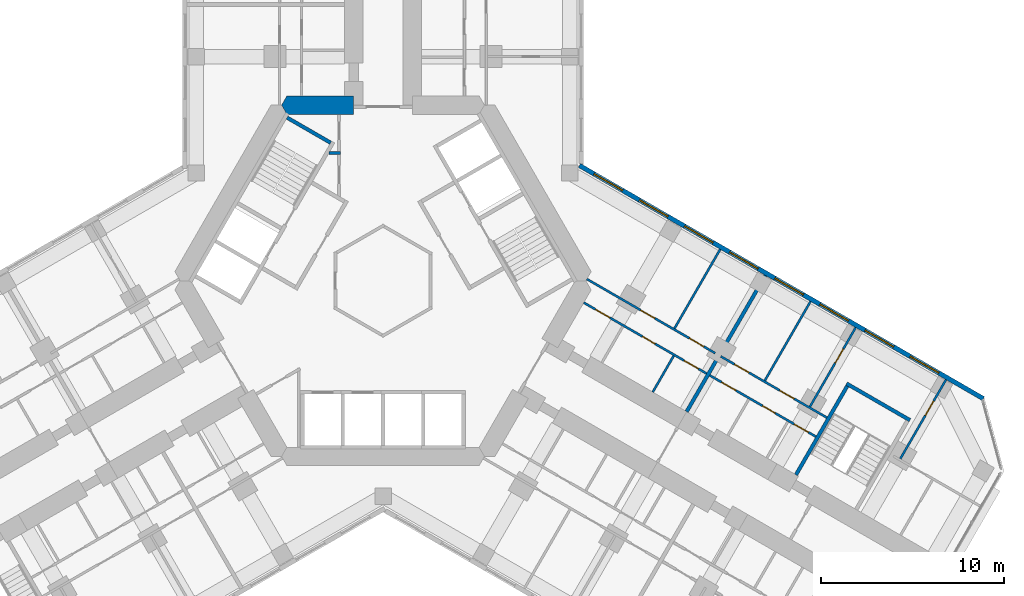
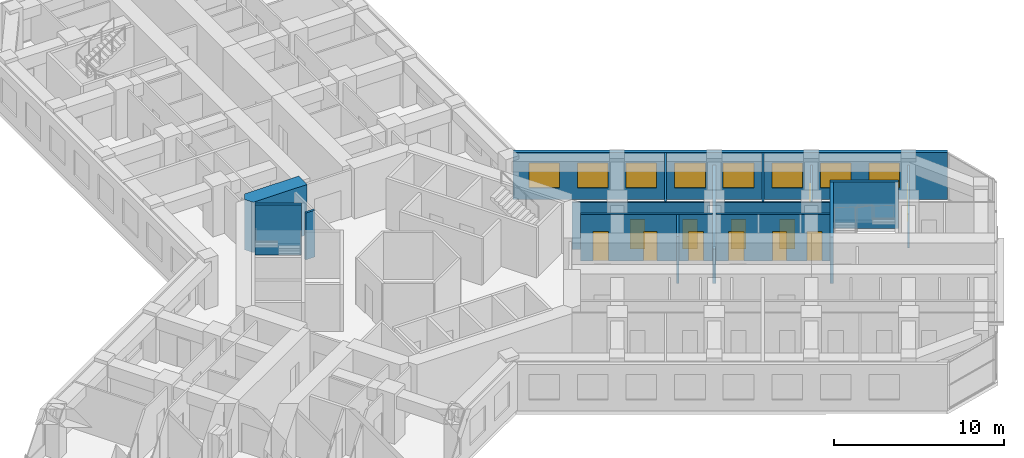
# One storey, part 16 of 21: 16 walls, 12 doors, 8 windows, 20 openings.
"""IFC4 building model written with IfcOpenShell, lengths in metres."""

from ifc_helpers import new_model, si_unit, direction, frame, frame_2d, origin, place, context, subcontext, project, spatial, polyline, rectangle, outline, extrude, material, layer, layer_set, type_object, element, fill, save


model = new_model("IFC4")

# Units and contexts
model_context = context("Model", 3, precision=1e-05, world=origin(), true_north=direction((0.0, 1.0)))
body_context = subcontext(model_context, "Body", "Model", "MODEL_VIEW")
ifc_project = project(units=[si_unit("LENGTHUNIT", "METRE"), si_unit("AREAUNIT", "SQUARE_METRE"), si_unit("VOLUMEUNIT", "CUBIC_METRE"), si_unit("PLANEANGLEUNIT", "RADIAN"), si_unit("MASSUNIT", "GRAM", prefix="KILO")], contexts=[model_context])

# Site, building, storey
site_placement = place(None, origin())
site = spatial("IfcSite", under=ifc_project, at=site_placement, CompositionType="ELEMENT")
building_placement = place(site_placement, origin())
building = spatial("IfcBuilding", under=site, at=building_placement, Name="Kosmar Iwan School Tower", CompositionType="ELEMENT")
storey_placement = place(building_placement, frame((0.0, 0.0, 102.39990234375)))
storey = spatial("IfcBuildingStorey", under=building, at=storey_placement, Name="L25", CompositionType="ELEMENT", Elevation=102.39990234375)

# Walls
ifc_material_1 = material(Name="Gypsum board on steel studs, fire-rated", Category="steel")
ifc_layer_1 = layer(ifc_material_1, 0.14990234375)
ifc_layer_set_1 = layer_set([ifc_layer_1], Name="Core room partition 150")
wall_type_1 = type_object("IfcWallType", Name="Core room partition 150", PredefinedType="PARTITIONING", material=ifc_layer_set_1)
wall_1_placement = place(storey_placement, frame((-2.324951171875, 6.985107421875, 0.0), z_axis=(0.0, 0.0, 1.0), x_axis=(-1.0, 0.0, 0.0)))
element("IfcWall", 1, at=wall_1_placement, inside=storey, type_object=wall_type_1, Name="Core room partition L25-CW2", PredefinedType="PARTITIONING", context=body_context, shape_type="SweptSolid", body=[
    extrude(rectangle(XDim=0.623779296875, YDim=0.14990234375, at=frame_2d((0.31201171875, 0.0))), origin(), (0.0, 0.0, 1.0), 3.35009765625),
])
ifc_material_2 = material(Name="Concrete C50/60", Category="concrete")
ifc_layer_2 = layer(ifc_material_2, 1.0)
ifc_layer_set_2 = layer_set([ifc_layer_2], Name="Core wall 1000")
wall_type_2 = type_object("IfcWallType", Name="Core wall 1000", PredefinedType="SHEAR", material=ifc_layer_set_2)
wall_2_placement = place(storey_placement, origin())
element("IfcWall", 2, at=wall_2_placement, inside=storey, type_object=wall_type_2, Name="Core wall F090b", PredefinedType="SHEAR", context=body_context, shape_type="SweptSolid", body=[
    extrude(outline(polyline([(-5.25390625, 9.10009765625), (-1.60009765625, 9.10009765625), (-1.60009765625, 10.10009765625), (-5.25390625, 10.10009765625), (-5.54248046875, 9.60009765625), (-5.25390625, 9.10009765625)])), origin(), (0.0, 0.0, 1.0), 3.60009765625),
])

# Wall, openings, doors
ifc_material_3 = material(Name="Gypsum board on steel studs", Category="steel")
ifc_layer_3 = layer(ifc_material_3, 0.1201171875)
ifc_layer_set_3 = layer_set([ifc_layer_3], Name="Dwelling partition 120")
wall_type_3 = type_object("IfcWallType", Name="Dwelling partition 120", PredefinedType="PARTITIONING", material=ifc_layer_set_3)
wall_3_placement = place(storey_placement, frame((10.971923828125, -1.1962890625, 0.0), z_axis=(0.0, 0.0, 1.0), x_axis=(0.866024534185, -0.500001506187, 0.0)))
wall_3 = element("IfcWall", 3, at=wall_3_placement, inside=storey, type_object=wall_type_3, Name="Partition L25-CL1-W1", PredefinedType="PARTITIONING", context=body_context, shape_type="SweptSolid", body=[
    extrude(rectangle(XDim=7.75, YDim=0.1201171875, at=frame_2d((3.875, 0.0))), origin(), (0.0, 0.0, 1.0), 3.35009765625),
])
opening_1_placement = place(wall_3_placement, frame((0.75, 0.0, 0.0)))
opening_1 = element("IfcOpeningElement", 4, at=opening_1_placement, cuts=wall_3, Name="Opening D2", PredefinedType="OPENING", context=body_context, shape_type="SweptSolid", body=[
    extrude(rectangle(XDim=0.89990234375, YDim=2.10009765625, at=frame_2d((0.449951171875, 1.050048828125))), frame((0.0, 0.072021484375, 0.0), z_axis=(0.0, -1.0, 0.0), x_axis=(1.0, 0.0, 0.0)), (0.0, 0.0, 1.0), 0.14404296875),
])
opening_2_placement = place(wall_3_placement, frame((3.705078125, 0.0, 0.0)))
opening_2 = element("IfcOpeningElement", 5, at=opening_2_placement, cuts=wall_3, Name="Opening D3", PredefinedType="OPENING", context=body_context, shape_type="SweptSolid", body=[
    extrude(rectangle(XDim=0.800048828125, YDim=2.10009765625, at=frame_2d((0.39990234375, 1.050048828125))), frame((0.0, 0.072021484375, 0.0), z_axis=(0.0, -1.0, 0.0), x_axis=(1.0, 0.0, 0.0)), (0.0, 0.0, 1.0), 0.14404296875),
])
opening_3_placement = place(wall_3_placement, frame((6.330078125, 0.0, 0.0)))
opening_3 = element("IfcOpeningElement", 6, at=opening_3_placement, cuts=wall_3, Name="Opening D2", PredefinedType="OPENING", context=body_context, shape_type="SweptSolid", body=[
    extrude(rectangle(XDim=0.89990234375, YDim=2.10009765625, at=frame_2d((0.449951171875, 1.050048828125))), frame((0.0, 0.072021484375, 0.0), z_axis=(0.0, -1.0, 0.0), x_axis=(1.0, 0.0, 0.0)), (0.0, 0.0, 1.0), 0.14404296875),
])
ifc_material_4 = material(Name="Timber door in timber frame", Category="wood")
door_type_1 = type_object("IfcDoorType", Name="Internal door 900x2100", OperationType="SINGLE_SWING_LEFT", PredefinedType="DOOR", material=ifc_material_4)
door_1_placement = place(opening_1_placement, origin())
door_1 = element("IfcDoor", 7, at=door_1_placement, inside=storey, type_object=door_type_1, Name="Entrance hall door L25-CL1-S1", OperationType="SINGLE_SWING_LEFT", OverallHeight=2.10009765625, OverallWidth=0.89990234375, PredefinedType="DOOR", context=body_context, shape_type="SweptSolid", body=[
    extrude(rectangle(XDim=0.89990234375, YDim=2.10009765625, at=frame_2d((0.449951171875, 1.050048828125))), frame((0.0, 0.02490234375, 0.0), z_axis=(0.0, -1.0, 0.0), x_axis=(1.0, 0.0, 0.0)), (0.0, 0.0, 1.0), 0.050048828125),
])
fill(opening_1, door_1)
door_2_placement = place(opening_3_placement, origin())
door_2 = element("IfcDoor", 8, at=door_2_placement, inside=storey, type_object=door_type_1, Name="Pantry door L25-CL1-S3", OperationType="SINGLE_SWING_RIGHT", OverallHeight=2.10009765625, OverallWidth=0.89990234375, PredefinedType="DOOR", context=body_context, shape_type="SweptSolid", body=[
    extrude(rectangle(XDim=0.89990234375, YDim=2.10009765625, at=frame_2d((0.449951171875, 1.050048828125))), frame((0.0, 0.02490234375, 0.0), z_axis=(0.0, -1.0, 0.0), x_axis=(1.0, 0.0, 0.0)), (0.0, 0.0, 1.0), 0.050048828125),
])
fill(opening_3, door_2)
ifc_material_5 = material(Name="Timber door in timber frame", Category="wood")
door_type_2 = type_object("IfcDoorType", Name="Sanitary room door 800x2100", OperationType="SINGLE_SWING_LEFT", PredefinedType="DOOR", material=ifc_material_5)
door_3_placement = place(opening_2_placement, origin())
door_3 = element("IfcDoor", 9, at=door_3_placement, inside=storey, type_object=door_type_2, Name="Bathroom door L25-CL1-S2", OperationType="SINGLE_SWING_RIGHT", OverallHeight=2.10009765625, OverallWidth=0.800048828125, PredefinedType="DOOR", context=body_context, shape_type="SweptSolid", body=[
    extrude(rectangle(XDim=0.800048828125, YDim=2.10009765625, at=frame_2d((0.39990234375, 1.050048828125))), frame((0.0, 0.02490234375, 0.0), z_axis=(0.0, -1.0, 0.0), x_axis=(1.0, 0.0, 0.0)), (0.0, 0.0, 1.0), 0.050048828125),
])
fill(opening_2, door_3)

wall_4_placement = place(storey_placement, frame((11.138916015625, 0.093017578125, 0.0), z_axis=(0.0, 0.0, 1.0), x_axis=(0.866017937352, -0.500012932018, 0.0)))
wall_4 = element("IfcWall", 10, at=wall_4_placement, inside=storey, type_object=wall_type_3, Name="Partition L25-CL1-W2", PredefinedType="PARTITIONING", context=body_context, shape_type="SweptSolid", body=[
    extrude(rectangle(XDim=8.099853515625, YDim=0.1201171875, at=frame_2d((4.0498046875, 0.0))), origin(), (0.0, 0.0, 1.0), 3.35009765625),
])
opening_4_placement = place(wall_4_placement, frame((3.39990234375, 0.0, 0.0)))
opening_4 = element("IfcOpeningElement", 11, at=opening_4_placement, cuts=wall_4, Name="Opening D2", PredefinedType="OPENING", context=body_context, shape_type="SweptSolid", body=[
    extrude(rectangle(XDim=0.89990234375, YDim=2.10009765625, at=frame_2d((0.449951171875, 1.050048828125))), frame((0.0, 0.072021484375, 0.0), z_axis=(0.0, -1.0, 0.0), x_axis=(1.0, 0.0, 0.0)), (0.0, 0.0, 1.0), 0.14404296875),
])
opening_5_placement = place(wall_4_placement, frame((6.47509765625, 0.0, 0.0)))
opening_5 = element("IfcOpeningElement", 12, at=opening_5_placement, cuts=wall_4, Name="Opening D2", PredefinedType="OPENING", context=body_context, shape_type="SweptSolid", body=[
    extrude(rectangle(XDim=0.89990234375, YDim=2.10009765625, at=frame_2d((0.449951171875, 1.050048828125))), frame((0.0, 0.072021484375, 0.0), z_axis=(0.0, -1.0, 0.0), x_axis=(1.0, 0.0, 0.0)), (0.0, 0.0, 1.0), 0.14404296875),
])
door_4_placement = place(opening_4_placement, origin())
door_4 = element("IfcDoor", 13, at=door_4_placement, inside=storey, type_object=door_type_1, Name="Living room and kitchen door L25-CL1-F1", OperationType="SINGLE_SWING_RIGHT", OverallHeight=2.10009765625, OverallWidth=0.89990234375, PredefinedType="DOOR", context=body_context, shape_type="SweptSolid", body=[
    extrude(rectangle(XDim=0.89990234375, YDim=2.10009765625, at=frame_2d((0.449951171875, 1.050048828125))), frame((0.0, 0.02490234375, 0.0), z_axis=(0.0, -1.0, 0.0), x_axis=(1.0, 0.0, 0.0)), (0.0, 0.0, 1.0), 0.050048828125),
])
fill(opening_4, door_4)
door_5_placement = place(opening_5_placement, origin())
door_5 = element("IfcDoor", 14, at=door_5_placement, inside=storey, type_object=door_type_1, Name="Bedroom 1 door L25-CL1-F2", OperationType="SINGLE_SWING_RIGHT", OverallHeight=2.10009765625, OverallWidth=0.89990234375, PredefinedType="DOOR", context=body_context, shape_type="SweptSolid", body=[
    extrude(rectangle(XDim=0.89990234375, YDim=2.10009765625, at=frame_2d((0.449951171875, 1.050048828125))), frame((0.0, 0.02490234375, 0.0), z_axis=(0.0, -1.0, 0.0), x_axis=(1.0, 0.0, 0.0)), (0.0, 0.0, 1.0), 0.050048828125),
])
fill(opening_5, door_5)

# Walls
wall_5_placement = place(storey_placement, frame((15.931884765625, -2.60498046875, 0.0), z_axis=(0.0, 0.0, 1.0), x_axis=(0.500011847778, 0.866018563358, 0.0)))
element("IfcWall", 15, at=wall_5_placement, inside=storey, type_object=wall_type_3, Name="Partition L25-CL1-X1", PredefinedType="PARTITIONING", context=body_context, shape_type="SweptSolid", body=[
    extrude(rectangle(XDim=4.990234375, YDim=0.1201171875, at=frame_2d((2.4951171875, 0.0))), origin(), (0.0, 0.0, 1.0), 3.35009765625),
])
wall_6_placement = place(storey_placement, frame((14.741943359375, -6.08642578125, 0.0), z_axis=(0.0, 0.0, 1.0), x_axis=(0.499968531483, 0.866043571379, 0.0)))
element("IfcWall", 16, at=wall_6_placement, inside=storey, type_object=wall_type_3, Name="Partition L25-CL1-Y2", PredefinedType="PARTITIONING", context=body_context, shape_type="SweptSolid", body=[
    extrude(rectangle(XDim=2.290283203125, YDim=0.1201171875, at=frame_2d((1.14501953125, 0.0))), origin(), (0.0, 0.0, 1.0), 3.35009765625),
])

# Wall, openings, doors
wall_7_placement = place(storey_placement, frame((17.856689453125, -5.171142578125, 0.0), z_axis=(0.0, 0.0, 1.0), x_axis=(0.866023571113, -0.500003174267, 0.0)))
wall_7 = element("IfcWall", 17, at=wall_7_placement, inside=storey, type_object=wall_type_3, Name="Partition L25-CL2-W1", PredefinedType="PARTITIONING", context=body_context, shape_type="SweptSolid", body=[
    extrude(rectangle(XDim=6.7001953125, YDim=0.1201171875, at=frame_2d((3.35009765625, 0.0))), origin(), (0.0, 0.0, 1.0), 3.35009765625),
])
opening_6_placement = place(wall_7_placement, frame((0.75, 0.0, 0.0)))
opening_6 = element("IfcOpeningElement", 18, at=opening_6_placement, cuts=wall_7, Name="Opening D2", PredefinedType="OPENING", context=body_context, shape_type="SweptSolid", body=[
    extrude(rectangle(XDim=0.89990234375, YDim=2.10009765625, at=frame_2d((0.449951171875, 1.050048828125))), frame((0.0, 0.072021484375, 0.0), z_axis=(0.0, -1.0, 0.0), x_axis=(1.0, 0.0, 0.0)), (0.0, 0.0, 1.0), 0.14404296875),
])
opening_7_placement = place(wall_7_placement, frame((3.330078125, 0.0, 0.0)))
opening_7 = element("IfcOpeningElement", 19, at=opening_7_placement, cuts=wall_7, Name="Opening D3", PredefinedType="OPENING", context=body_context, shape_type="SweptSolid", body=[
    extrude(rectangle(XDim=0.800048828125, YDim=2.10009765625, at=frame_2d((0.39990234375, 1.050048828125))), frame((0.0, 0.072021484375, 0.0), z_axis=(0.0, -1.0, 0.0), x_axis=(1.0, 0.0, 0.0)), (0.0, 0.0, 1.0), 0.14404296875),
])
opening_8_placement = place(wall_7_placement, frame((5.330078125, 0.0, 0.0)))
opening_8 = element("IfcOpeningElement", 20, at=opening_8_placement, cuts=wall_7, Name="Opening D2", PredefinedType="OPENING", context=body_context, shape_type="SweptSolid", body=[
    extrude(rectangle(XDim=0.89990234375, YDim=2.10009765625, at=frame_2d((0.449951171875, 1.050048828125))), frame((0.0, 0.072021484375, 0.0), z_axis=(0.0, -1.0, 0.0), x_axis=(1.0, 0.0, 0.0)), (0.0, 0.0, 1.0), 0.14404296875),
])
door_6_placement = place(opening_6_placement, origin())
door_6 = element("IfcDoor", 21, at=door_6_placement, inside=storey, type_object=door_type_1, Name="Entrance hall door L25-CL2-S1", OperationType="SINGLE_SWING_LEFT", OverallHeight=2.10009765625, OverallWidth=0.89990234375, PredefinedType="DOOR", context=body_context, shape_type="SweptSolid", body=[
    extrude(rectangle(XDim=0.89990234375, YDim=2.10009765625, at=frame_2d((0.449951171875, 1.050048828125))), frame((0.0, 0.02490234375, 0.0), z_axis=(0.0, -1.0, 0.0), x_axis=(1.0, 0.0, 0.0)), (0.0, 0.0, 1.0), 0.050048828125),
])
fill(opening_6, door_6)
door_7_placement = place(opening_8_placement, frame((0.89990234375, 0.0, 0.0), z_axis=(0.0, 0.0, 1.0), x_axis=(-1.0, 0.0, 0.0)))
door_7 = element("IfcDoor", 22, at=door_7_placement, inside=storey, type_object=door_type_1, Name="Pantry door L25-CL2-S3", OperationType="SINGLE_SWING_LEFT", OverallHeight=2.10009765625, OverallWidth=0.89990234375, PredefinedType="DOOR", context=body_context, shape_type="SweptSolid", body=[
    extrude(rectangle(XDim=0.89990234375, YDim=2.10009765625, at=frame_2d((0.449951171875, 1.050048828125))), frame((0.0, 0.02490234375, 0.0), z_axis=(0.0, -1.0, 0.0), x_axis=(1.0, 0.0, 0.0)), (0.0, 0.0, 1.0), 0.050048828125),
])
fill(opening_8, door_7)
door_8_placement = place(opening_7_placement, origin())
door_8 = element("IfcDoor", 23, at=door_8_placement, inside=storey, type_object=door_type_2, Name="Bathroom door L25-CL2-S2", OperationType="SINGLE_SWING_RIGHT", OverallHeight=2.10009765625, OverallWidth=0.800048828125, PredefinedType="DOOR", context=body_context, shape_type="SweptSolid", body=[
    extrude(rectangle(XDim=0.800048828125, YDim=2.10009765625, at=frame_2d((0.39990234375, 1.050048828125))), frame((0.0, 0.02490234375, 0.0), z_axis=(0.0, -1.0, 0.0), x_axis=(1.0, 0.0, 0.0)), (0.0, 0.0, 1.0), 0.050048828125),
])
fill(opening_7, door_8)

wall_8_placement = place(storey_placement, frame((18.456787109375, -4.1318359375, 0.0), z_axis=(0.0, 0.0, 1.0), x_axis=(0.866014461049, -0.500018952895, 0.0)))
wall_8 = element("IfcWall", 24, at=wall_8_placement, inside=storey, type_object=wall_type_3, Name="Partition L25-CL2-W2", PredefinedType="PARTITIONING", context=body_context, shape_type="SweptSolid", body=[
    extrude(rectangle(XDim=6.699951171875, YDim=0.1201171875, at=frame_2d((3.35009765625, 0.0))), origin(), (0.0, 0.0, 1.0), 3.35009765625),
])
opening_9_placement = place(wall_8_placement, frame((0.875, 0.0, 0.0)))
opening_9 = element("IfcOpeningElement", 25, at=opening_9_placement, cuts=wall_8, Name="Opening D2", PredefinedType="OPENING", context=body_context, shape_type="SweptSolid", body=[
    extrude(rectangle(XDim=0.89990234375, YDim=2.10009765625, at=frame_2d((0.449951171875, 1.050048828125))), frame((0.0, 0.072021484375, 0.0), z_axis=(0.0, -1.0, 0.0), x_axis=(1.0, 0.0, 0.0)), (0.0, 0.0, 1.0), 0.14404296875),
])
opening_10_placement = place(wall_8_placement, frame((3.72509765625, 0.0, 0.0)))
opening_10 = element("IfcOpeningElement", 26, at=opening_10_placement, cuts=wall_8, Name="Opening D2", PredefinedType="OPENING", context=body_context, shape_type="SweptSolid", body=[
    extrude(rectangle(XDim=0.89990234375, YDim=2.10009765625, at=frame_2d((0.449951171875, 1.050048828125))), frame((0.0, 0.072021484375, 0.0), z_axis=(0.0, -1.0, 0.0), x_axis=(1.0, 0.0, 0.0)), (0.0, 0.0, 1.0), 0.14404296875),
])
door_9_placement = place(opening_9_placement, origin())
door_9 = element("IfcDoor", 27, at=door_9_placement, inside=storey, type_object=door_type_1, Name="Living room and kitchen door L25-CL2-F1", OperationType="SINGLE_SWING_LEFT", OverallHeight=2.10009765625, OverallWidth=0.89990234375, PredefinedType="DOOR", context=body_context, shape_type="SweptSolid", body=[
    extrude(rectangle(XDim=0.89990234375, YDim=2.10009765625, at=frame_2d((0.449951171875, 1.050048828125))), frame((0.0, 0.02490234375, 0.0), z_axis=(0.0, -1.0, 0.0), x_axis=(1.0, 0.0, 0.0)), (0.0, 0.0, 1.0), 0.050048828125),
])
fill(opening_9, door_9)
door_10_placement = place(opening_10_placement, origin())
door_10 = element("IfcDoor", 28, at=door_10_placement, inside=storey, type_object=door_type_1, Name="Bedroom 1 door L25-CL2-F2", OperationType="SINGLE_SWING_RIGHT", OverallHeight=2.10009765625, OverallWidth=0.89990234375, PredefinedType="DOOR", context=body_context, shape_type="SweptSolid", body=[
    extrude(rectangle(XDim=0.89990234375, YDim=2.10009765625, at=frame_2d((0.449951171875, 1.050048828125))), frame((0.0, 0.02490234375, 0.0), z_axis=(0.0, -1.0, 0.0), x_axis=(1.0, 0.0, 0.0)), (0.0, 0.0, 1.0), 0.050048828125),
])
fill(opening_10, door_10)

# Wall
wall_9_placement = place(storey_placement, frame((20.868408203125, -5.455078125, 0.0), z_axis=(0.0, 0.0, 1.0), x_axis=(0.499975153383, 0.86603974851, 0.0)))
element("IfcWall", 29, at=wall_9_placement, inside=storey, type_object=wall_type_3, Name="Partition L25-CL2-X1", PredefinedType="PARTITIONING", context=body_context, shape_type="SweptSolid", body=[
    extrude(rectangle(XDim=4.989990234375, YDim=0.1201171875, at=frame_2d((2.4951171875, 0.0))), origin(), (0.0, 0.0, 1.0), 3.35009765625),
])

# Wall, opening, door
wall_10_placement = place(storey_placement, frame((23.33642578125, -6.8798828125, 0.0), z_axis=(0.0, 0.0, 1.0), x_axis=(0.500033033937, 0.866006330792, 0.0)))
wall_10 = element("IfcWall", 30, at=wall_10_placement, inside=storey, type_object=wall_type_3, Name="Partition L25-CL2-TB", PredefinedType="PARTITIONING", context=body_context, shape_type="SweptSolid", body=[
    extrude(rectangle(XDim=4.989990234375, YDim=0.1201171875, at=frame_2d((2.4951171875, 0.0))), origin(), (0.0, 0.0, 1.0), 2.4501953125),
])
opening_11_placement = place(wall_10_placement, frame((2.739990234375, 0.0, 0.0)))
opening_11 = element("IfcOpeningElement", 31, at=opening_11_placement, cuts=wall_10, Name="Opening D2", PredefinedType="OPENING", context=body_context, shape_type="SweptSolid", body=[
    extrude(rectangle(XDim=0.89990234375, YDim=2.10009765625, at=frame_2d((0.449951171875, 1.050048828125))), frame((0.0, 0.072021484375, 0.0), z_axis=(0.0, -1.0, 0.0), x_axis=(1.0, 0.0, 0.0)), (0.0, 0.0, 1.0), 0.14404296875),
])
door_11_placement = place(opening_11_placement, origin())
door_11 = element("IfcDoor", 32, at=door_11_placement, inside=storey, type_object=door_type_1, Name="Study door L25-CL2-F2", OperationType="SINGLE_SWING_RIGHT", OverallHeight=2.10009765625, OverallWidth=0.89990234375, PredefinedType="DOOR", context=body_context, shape_type="SweptSolid", body=[
    extrude(rectangle(XDim=0.89990234375, YDim=2.10009765625, at=frame_2d((0.449951171875, 1.050048828125))), frame((0.0, 0.02490234375, 0.0), z_axis=(0.0, -1.0, 0.0), x_axis=(1.0, 0.0, 0.0)), (0.0, 0.0, 1.0), 0.050048828125),
])
fill(opening_11, door_11)

wall_11_placement = place(storey_placement, frame((28.27294921875, -9.72998046875, 0.0), z_axis=(0.0, 0.0, 1.0), x_axis=(0.499975153383, 0.86603974851, 0.0)))
wall_11 = element("IfcWall", 33, at=wall_11_placement, inside=storey, type_object=wall_type_3, Name="Partition L25-CL2-TX", PredefinedType="PARTITIONING", context=body_context, shape_type="SweptSolid", body=[
    extrude(rectangle(XDim=4.989990234375, YDim=0.1201171875, at=frame_2d((2.4951171875, 0.0))), origin(), (0.0, 0.0, 1.0), 2.4501953125),
])
opening_12_placement = place(wall_11_placement, frame((2.739990234375, 0.0, 0.0)))
opening_12 = element("IfcOpeningElement", 34, at=opening_12_placement, cuts=wall_11, Name="Opening D2", PredefinedType="OPENING", context=body_context, shape_type="SweptSolid", body=[
    extrude(rectangle(XDim=0.89990234375, YDim=2.10009765625, at=frame_2d((0.449951171875, 1.050048828125))), frame((0.0, 0.072021484375, 0.0), z_axis=(0.0, -1.0, 0.0), x_axis=(1.0, 0.0, 0.0)), (0.0, 0.0, 1.0), 0.14404296875),
])
door_12_placement = place(opening_12_placement, origin())
door_12 = element("IfcDoor", 35, at=door_12_placement, inside=storey, type_object=door_type_1, Name="Study door L25-CL2-T1", OperationType="SINGLE_SWING_RIGHT", OverallHeight=2.10009765625, OverallWidth=0.89990234375, PredefinedType="DOOR", context=body_context, shape_type="SweptSolid", body=[
    extrude(rectangle(XDim=0.89990234375, YDim=2.10009765625, at=frame_2d((0.449951171875, 1.050048828125))), frame((0.0, 0.02490234375, 0.0), z_axis=(0.0, -1.0, 0.0), x_axis=(1.0, 0.0, 0.0)), (0.0, 0.0, 1.0), 0.050048828125),
])
fill(opening_12, door_12)

# Walls
ifc_material_6 = material(Name="Concrete C35/45", Category="concrete")
ifc_layer_4 = layer(ifc_material_6, 0.199951171875)
ifc_layer_set_4 = layer_set([ifc_layer_4], Name="Escape stair wall 200")
wall_type_4 = type_object("IfcWallType", Name="Escape stair wall 200", PredefinedType="SHEAR", material=ifc_layer_set_4)
wall_12_placement = place(storey_placement, frame((22.57080078125, -10.6064453125, 0.0), z_axis=(0.0, 0.0, 1.0), x_axis=(0.499987231761, 0.866032775405, 0.0)))
element("IfcWall", 36, at=wall_12_placement, inside=storey, type_object=wall_type_4, Name="Stair WS3 wall", PredefinedType="SHEAR", context=body_context, shape_type="SweptSolid", body=[
    extrude(rectangle(XDim=5.800048828125, YDim=0.199951171875, at=frame_2d((2.89990234375, 0.0))), origin(), (0.0, 0.0, 1.0), 3.330078125),
])
wall_13_placement = place(storey_placement, frame((25.334228515625, -5.6201171875, 0.0), z_axis=(0.0, 0.0, 1.0), x_axis=(0.866026010844, -0.49999894854, 0.0)))
element("IfcWall", 37, at=wall_13_placement, inside=storey, type_object=wall_type_4, Name="Stair WS3 wall", PredefinedType="SHEAR", context=body_context, shape_type="SweptSolid", body=[
    extrude(rectangle(XDim=4.0, YDim=0.199951171875, at=frame_2d((2.0, 0.0))), origin(), (0.0, 0.0, 1.0), 3.330078125),
])

# Wall, openings, windows
ifc_material_7 = material(Name="Black aluminium rainscreen on insulated framing", Category="aluminium")
ifc_layer_5 = layer(ifc_material_7, 0.25)
ifc_layer_set_5 = layer_set([ifc_layer_5], Name="External wall rainscreen 250")
wall_type_5 = type_object("IfcWallType", Name="External wall rainscreen 250", PredefinedType="SOLIDWALL", material=ifc_layer_set_5)
wall_14_placement = place(storey_placement, frame((10.73681640625, 6.30078125, 0.0), z_axis=(0.0, 0.0, 1.0), x_axis=(0.866026390279, -0.499998291337, 0.0)))
wall_14 = element("IfcWall", 38, at=wall_14_placement, inside=storey, type_object=wall_type_5, Name="External wall CL L25", PredefinedType="SOLIDWALL", context=body_context, shape_type="SweptSolid", body=[
    extrude(rectangle(XDim=25.4873046875, YDim=0.25, at=frame_2d((12.74365234375, 0.0))), origin(), (0.0, 0.0, 1.0), 3.35009765625),
])
opening_13_placement = place(wall_14_placement, frame((0.927001953125, 0.0, 0.800048828125)))
opening_13 = element("IfcOpeningElement", 39, at=opening_13_placement, cuts=wall_14, Name="Opening W1", PredefinedType="OPENING", context=body_context, shape_type="SweptSolid", body=[
    extrude(rectangle(XDim=1.800048828125, YDim=1.800048828125, at=frame_2d((0.89990234375, 0.89990234375))), frame((0.0, 0.136962890625, 0.0), z_axis=(0.0, -1.0, 0.0), x_axis=(1.0, 0.0, 0.0)), (0.0, 0.0, 1.0), 0.27392578125),
])
opening_14_placement = place(wall_14_placement, frame((3.777099609375, 0.0, 0.800048828125)))
opening_14 = element("IfcOpeningElement", 40, at=opening_14_placement, cuts=wall_14, Name="Opening W1", PredefinedType="OPENING", context=body_context, shape_type="SweptSolid", body=[
    extrude(rectangle(XDim=1.800048828125, YDim=1.800048828125, at=frame_2d((0.89990234375, 0.89990234375))), frame((0.0, 0.136962890625, 0.0), z_axis=(0.0, -1.0, 0.0), x_axis=(1.0, 0.0, 0.0)), (0.0, 0.0, 1.0), 0.27392578125),
])
opening_15_placement = place(wall_14_placement, frame((6.626953125, 0.0, 0.800048828125)))
opening_15 = element("IfcOpeningElement", 41, at=opening_15_placement, cuts=wall_14, Name="Opening W1", PredefinedType="OPENING", context=body_context, shape_type="SweptSolid", body=[
    extrude(rectangle(XDim=1.800048828125, YDim=1.800048828125, at=frame_2d((0.89990234375, 0.89990234375))), frame((0.0, 0.136962890625, 0.0), z_axis=(0.0, -1.0, 0.0), x_axis=(1.0, 0.0, 0.0)), (0.0, 0.0, 1.0), 0.27392578125),
])
opening_16_placement = place(wall_14_placement, frame((9.47705078125, 0.0, 0.800048828125)))
opening_16 = element("IfcOpeningElement", 42, at=opening_16_placement, cuts=wall_14, Name="Opening W1", PredefinedType="OPENING", context=body_context, shape_type="SweptSolid", body=[
    extrude(rectangle(XDim=1.800048828125, YDim=1.800048828125, at=frame_2d((0.89990234375, 0.89990234375))), frame((0.0, 0.136962890625, 0.0), z_axis=(0.0, -1.0, 0.0), x_axis=(1.0, 0.0, 0.0)), (0.0, 0.0, 1.0), 0.27392578125),
])
opening_17_placement = place(wall_14_placement, frame((12.326904296875, 0.0, 0.800048828125)))
opening_17 = element("IfcOpeningElement", 43, at=opening_17_placement, cuts=wall_14, Name="Opening W1", PredefinedType="OPENING", context=body_context, shape_type="SweptSolid", body=[
    extrude(rectangle(XDim=1.800048828125, YDim=1.800048828125, at=frame_2d((0.89990234375, 0.89990234375))), frame((0.0, 0.136962890625, 0.0), z_axis=(0.0, -1.0, 0.0), x_axis=(1.0, 0.0, 0.0)), (0.0, 0.0, 1.0), 0.27392578125),
])
opening_18_placement = place(wall_14_placement, frame((15.177001953125, 0.0, 0.800048828125)))
opening_18 = element("IfcOpeningElement", 44, at=opening_18_placement, cuts=wall_14, Name="Opening W1", PredefinedType="OPENING", context=body_context, shape_type="SweptSolid", body=[
    extrude(rectangle(XDim=1.800048828125, YDim=1.800048828125, at=frame_2d((0.89990234375, 0.89990234375))), frame((0.0, 0.136962890625, 0.0), z_axis=(0.0, -1.0, 0.0), x_axis=(1.0, 0.0, 0.0)), (0.0, 0.0, 1.0), 0.27392578125),
])
opening_19_placement = place(wall_14_placement, frame((18.027099609375, 0.0, 0.800048828125)))
opening_19 = element("IfcOpeningElement", 45, at=opening_19_placement, cuts=wall_14, Name="Opening W1", PredefinedType="OPENING", context=body_context, shape_type="SweptSolid", body=[
    extrude(rectangle(XDim=1.800048828125, YDim=1.800048828125, at=frame_2d((0.89990234375, 0.89990234375))), frame((0.0, 0.136962890625, 0.0), z_axis=(0.0, -1.0, 0.0), x_axis=(1.0, 0.0, 0.0)), (0.0, 0.0, 1.0), 0.27392578125),
])
opening_20_placement = place(wall_14_placement, frame((20.876953125, 0.0, 0.800048828125)))
opening_20 = element("IfcOpeningElement", 46, at=opening_20_placement, cuts=wall_14, Name="Opening W1", PredefinedType="OPENING", context=body_context, shape_type="SweptSolid", body=[
    extrude(rectangle(XDim=1.800048828125, YDim=1.800048828125, at=frame_2d((0.89990234375, 0.89990234375))), frame((0.0, 0.136962890625, 0.0), z_axis=(0.0, -1.0, 0.0), x_axis=(1.0, 0.0, 0.0)), (0.0, 0.0, 1.0), 0.27392578125),
])
ifc_material_8 = material(Name="Black aluminium frame with dark triple glazing", Category="aluminium")
window_type = type_object("IfcWindowType", Name="Window 1800x1800", PartitioningType="SINGLE_PANEL", PredefinedType="WINDOW", material=ifc_material_8)
window_1_placement = place(opening_13_placement, origin())
window_1 = element("IfcWindow", 47, at=window_1_placement, inside=storey, type_object=window_type, Name="Window CL L25 -1", OverallHeight=1.800048828125, OverallWidth=1.800048828125, PartitioningType="SINGLE_PANEL", PredefinedType="WINDOW", context=body_context, shape_type="SweptSolid", body=[
    extrude(rectangle(XDim=1.800048828125, YDim=1.800048828125, at=frame_2d((0.89990234375, 0.89990234375))), frame((0.0, 0.030029296875, 0.0), z_axis=(0.0, -1.0, 0.0), x_axis=(1.0, 0.0, 0.0)), (0.0, 0.0, 1.0), 0.06005859375),
])
fill(opening_13, window_1)
window_2_placement = place(opening_14_placement, origin())
window_2 = element("IfcWindow", 48, at=window_2_placement, inside=storey, type_object=window_type, Name="Window CL L25 0", OverallHeight=1.800048828125, OverallWidth=1.800048828125, PartitioningType="SINGLE_PANEL", PredefinedType="WINDOW", context=body_context, shape_type="SweptSolid", body=[
    extrude(rectangle(XDim=1.800048828125, YDim=1.800048828125, at=frame_2d((0.89990234375, 0.89990234375))), frame((0.0, 0.030029296875, 0.0), z_axis=(0.0, -1.0, 0.0), x_axis=(1.0, 0.0, 0.0)), (0.0, 0.0, 1.0), 0.06005859375),
])
fill(opening_14, window_2)
window_3_placement = place(opening_15_placement, origin())
window_3 = element("IfcWindow", 49, at=window_3_placement, inside=storey, type_object=window_type, Name="Window CL L25 1", OverallHeight=1.800048828125, OverallWidth=1.800048828125, PartitioningType="SINGLE_PANEL", PredefinedType="WINDOW", context=body_context, shape_type="SweptSolid", body=[
    extrude(rectangle(XDim=1.800048828125, YDim=1.800048828125, at=frame_2d((0.89990234375, 0.89990234375))), frame((0.0, 0.030029296875, 0.0), z_axis=(0.0, -1.0, 0.0), x_axis=(1.0, 0.0, 0.0)), (0.0, 0.0, 1.0), 0.06005859375),
])
fill(opening_15, window_3)
window_4_placement = place(opening_16_placement, origin())
window_4 = element("IfcWindow", 50, at=window_4_placement, inside=storey, type_object=window_type, Name="Window CL L25 2", OverallHeight=1.800048828125, OverallWidth=1.800048828125, PartitioningType="SINGLE_PANEL", PredefinedType="WINDOW", context=body_context, shape_type="SweptSolid", body=[
    extrude(rectangle(XDim=1.800048828125, YDim=1.800048828125, at=frame_2d((0.89990234375, 0.89990234375))), frame((0.0, 0.030029296875, 0.0), z_axis=(0.0, -1.0, 0.0), x_axis=(1.0, 0.0, 0.0)), (0.0, 0.0, 1.0), 0.06005859375),
])
fill(opening_16, window_4)
window_5_placement = place(opening_17_placement, origin())
window_5 = element("IfcWindow", 51, at=window_5_placement, inside=storey, type_object=window_type, Name="Window CL L25 3", OverallHeight=1.800048828125, OverallWidth=1.800048828125, PartitioningType="SINGLE_PANEL", PredefinedType="WINDOW", context=body_context, shape_type="SweptSolid", body=[
    extrude(rectangle(XDim=1.800048828125, YDim=1.800048828125, at=frame_2d((0.89990234375, 0.89990234375))), frame((0.0, 0.030029296875, 0.0), z_axis=(0.0, -1.0, 0.0), x_axis=(1.0, 0.0, 0.0)), (0.0, 0.0, 1.0), 0.06005859375),
])
fill(opening_17, window_5)
window_6_placement = place(opening_18_placement, origin())
window_6 = element("IfcWindow", 52, at=window_6_placement, inside=storey, type_object=window_type, Name="Window CL L25 4", OverallHeight=1.800048828125, OverallWidth=1.800048828125, PartitioningType="SINGLE_PANEL", PredefinedType="WINDOW", context=body_context, shape_type="SweptSolid", body=[
    extrude(rectangle(XDim=1.800048828125, YDim=1.800048828125, at=frame_2d((0.89990234375, 0.89990234375))), frame((0.0, 0.030029296875, 0.0), z_axis=(0.0, -1.0, 0.0), x_axis=(1.0, 0.0, 0.0)), (0.0, 0.0, 1.0), 0.06005859375),
])
fill(opening_18, window_6)
window_7_placement = place(opening_19_placement, origin())
window_7 = element("IfcWindow", 53, at=window_7_placement, inside=storey, type_object=window_type, Name="Window CL L25 5", OverallHeight=1.800048828125, OverallWidth=1.800048828125, PartitioningType="SINGLE_PANEL", PredefinedType="WINDOW", context=body_context, shape_type="SweptSolid", body=[
    extrude(rectangle(XDim=1.800048828125, YDim=1.800048828125, at=frame_2d((0.89990234375, 0.89990234375))), frame((0.0, 0.030029296875, 0.0), z_axis=(0.0, -1.0, 0.0), x_axis=(1.0, 0.0, 0.0)), (0.0, 0.0, 1.0), 0.06005859375),
])
fill(opening_19, window_7)
window_8_placement = place(opening_20_placement, origin())
window_8 = element("IfcWindow", 54, at=window_8_placement, inside=storey, type_object=window_type, Name="Window CL L25 6", OverallHeight=1.800048828125, OverallWidth=1.800048828125, PartitioningType="SINGLE_PANEL", PredefinedType="WINDOW", context=body_context, shape_type="SweptSolid", body=[
    extrude(rectangle(XDim=1.800048828125, YDim=1.800048828125, at=frame_2d((0.89990234375, 0.89990234375))), frame((0.0, 0.030029296875, 0.0), z_axis=(0.0, -1.0, 0.0), x_axis=(1.0, 0.0, 0.0)), (0.0, 0.0, 1.0), 0.06005859375),
])
fill(opening_20, window_8)

# Walls
ifc_material_9 = material(Name="Concrete block masonry", Category="masonry")
ifc_layer_6 = layer(ifc_material_9, 0.199951171875)
ifc_layer_set_6 = layer_set([ifc_layer_6], Name="Party wall 200")
wall_type_6 = type_object("IfcWallType", Name="Party wall 200", PredefinedType="PARTITIONING", material=ifc_layer_set_6)
wall_15_placement = place(storey_placement, frame((16.59521484375, -7.15625, 0.0), z_axis=(0.0, 0.0, 1.0), x_axis=(0.500007509209, 0.866021068297, 0.0)))
element("IfcWall", 55, at=wall_15_placement, inside=storey, type_object=wall_type_6, Name="Partition L25-CL2-PW", PredefinedType="PARTITIONING", context=body_context, shape_type="SweptSolid", body=[
    extrude(rectangle(XDim=8.599853515625, YDim=0.199951171875, at=frame_2d((4.2998046875, 0.0))), origin(), (0.0, 0.0, 1.0), 2.4501953125),
])
ifc_material_10 = material(Name="Concrete C50/60", Category="concrete")
ifc_layer_7 = layer(ifc_material_10, 0.199951171875)
ifc_layer_set_7 = layer_set([ifc_layer_7], Name="Stair enclosure wall 200")
wall_type_7 = type_object("IfcWallType", Name="Stair enclosure wall 200", PredefinedType="SHEAR", material=ifc_layer_set_7)
wall_16_placement = place(storey_placement, frame((-2.862548828125, 7.541748046875, 0.0), z_axis=(0.0, 0.0, 1.0), x_axis=(-0.866027397988, 0.499996545922, 0.0)))
element("IfcWall", 56, at=wall_16_placement, inside=storey, type_object=wall_type_7, Name="Stair ST2 wall", PredefinedType="SHEAR", context=body_context, shape_type="SweptSolid", body=[
    extrude(rectangle(XDim=2.75, YDim=0.199951171875, at=frame_2d((1.375, 0.0))), origin(), (0.0, 0.0, 1.0), 3.60009765625),
])

save(model, "model.ifc")
